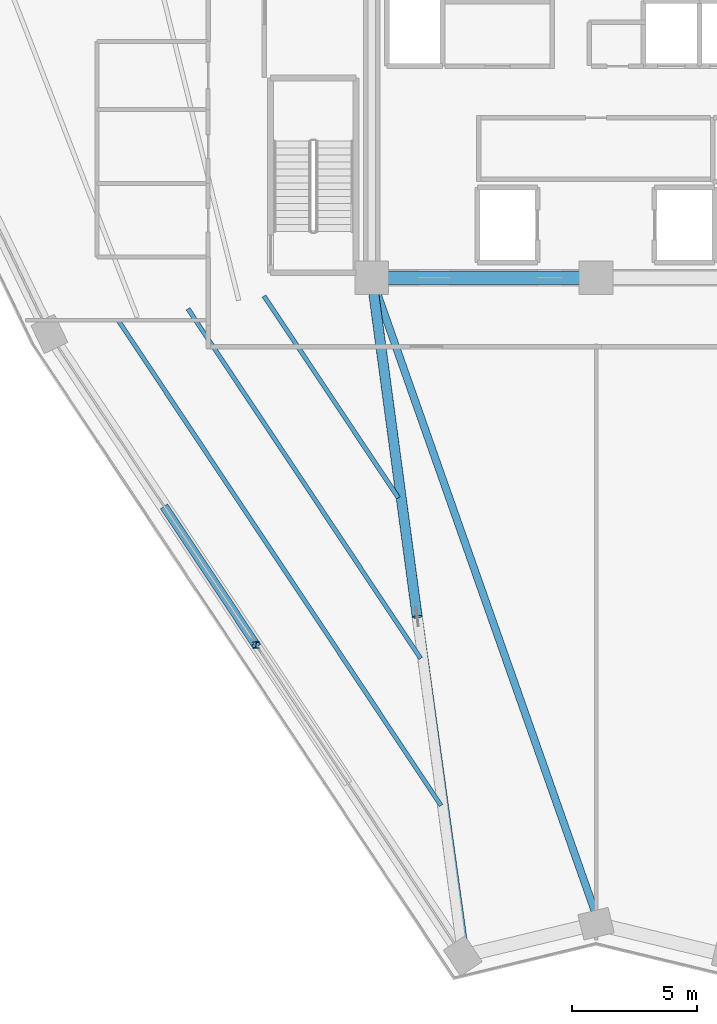
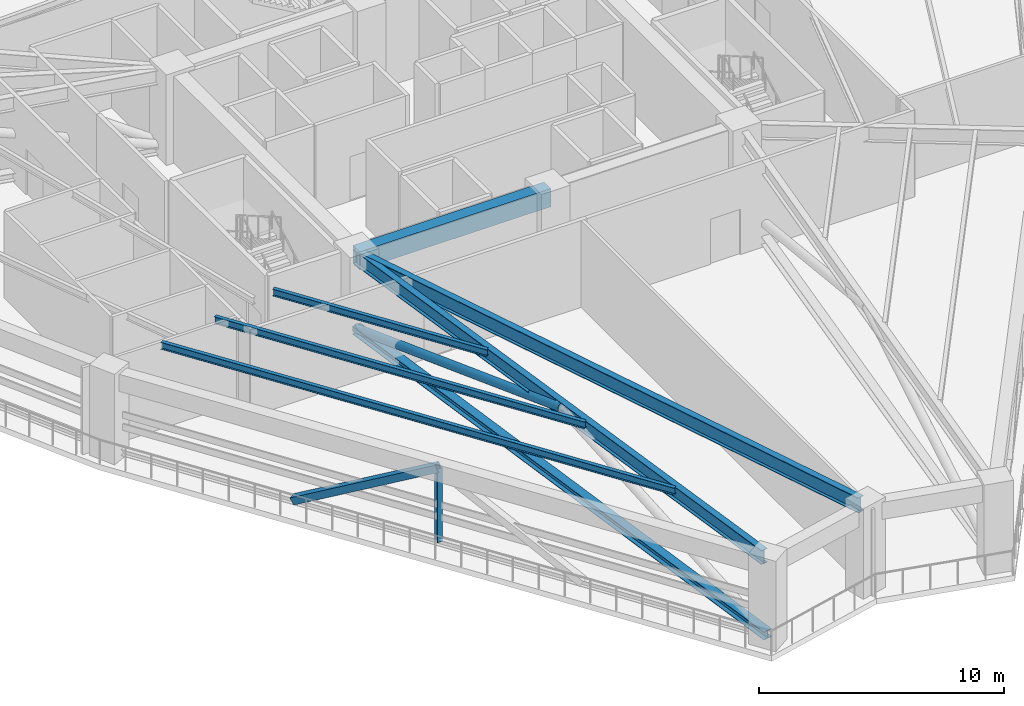
# One storey, part 2 of 25: 6 beams, 4 members.
"""IFC4 building model written with IfcOpenShell, lengths in metres."""

from ifc_helpers import new_model, si_unit, direction, frame, origin, origin_2d, place, context, subcontext, project, spatial, rectangle, hollow_rectangle, hollow_circle, i_section, extrude, source, transform, mapped, material, material_profile, profile_set, type_object, element, save


model = new_model("IFC4")

# Units and contexts
model_context = context("Model", 3, precision=1e-05, world=origin(), true_north=direction((0.0, 1.0)))
body_context = subcontext(model_context, "Body", "Model", "MODEL_VIEW")
ifc_project = project(units=[si_unit("LENGTHUNIT", "METRE"), si_unit("AREAUNIT", "SQUARE_METRE"), si_unit("VOLUMEUNIT", "CUBIC_METRE"), si_unit("PLANEANGLEUNIT", "RADIAN"), si_unit("MASSUNIT", "GRAM", prefix="KILO")], contexts=[model_context])

# Site, building, storey
site_placement = place(None, origin())
site = spatial("IfcSite", under=ifc_project, at=site_placement, CompositionType="ELEMENT")
building_placement = place(site_placement, origin())
building = spatial("IfcBuilding", under=site, at=building_placement, Name="Liaohun Quay Tower", CompositionType="ELEMENT")
storey_placement = place(building_placement, frame((0.0, 0.0, 231.75)))
storey = spatial("IfcBuildingStorey", under=building, at=storey_placement, Name="L60", CompositionType="ELEMENT", Elevation=231.75)

# Member
ifc_material_1 = material(Name="Steel Q355D", Category="steel")
ifc_material_profile_1 = material_profile(ifc_material_1, i_section(OverallWidth=0.25, OverallDepth=0.25, WebThickness=0.009033203125, FlangeThickness=0.013916015625, at=origin_2d()), Name="HW250x250x9x14")
ifc_profile_set_1 = profile_set([ifc_material_profile_1], Name="Steel Q355D")
member_type_1 = type_object("IfcMemberType", Name="MEM-BLT-PST", PredefinedType="POST", material=ifc_profile_set_1)
shared_shape_1 = source(origin(), body_context, "Body", "SweptSolid", [
    extrude(i_section(OverallWidth=0.25, OverallDepth=0.25, WebThickness=0.009033203125, FlangeThickness=0.013916015625, at=origin_2d()), origin(), (0.0, 0.0, 1.0), 3.669921875),
])
member_1_placement = place(storey_placement, frame((46.362060546875, 31.77001953125, 0.35009765625), z_axis=(0.0, 0.0, 1.0), x_axis=(1.0, 0.0, 0.0)))
element("IfcMember", 1, at=member_1_placement, inside=storey, type_object=member_type_1, Name="L60 Belt Truss Vertical Post BP-1-01", PredefinedType="POST", context=body_context, shape_type="MappedRepresentation", body=[
    mapped(shared_shape_1, transform((0.0, 0.0, 0.0), x_axis=(1.0, 0.0, 0.0), y_axis=(0.0, 1.0, 0.0), z_axis=(0.0, 0.0, 1.0), scale=1.0)),
])

# Beams
ifc_material_2 = material(Name="Concrete C55", Category="concrete")
ifc_material_profile_2 = material_profile(ifc_material_2, rectangle(XDim=0.550048828125, YDim=0.89990234375, at=origin_2d()), Name="RC550x900")
ifc_profile_set_2 = profile_set([ifc_material_profile_2], Name="Concrete C55")
beam_type_1 = type_object("IfcBeamType", Name="BM-CPL-2", PredefinedType="LINTEL", material=ifc_profile_set_2)
shared_shape_2 = source(origin(), body_context, "Body", "SweptSolid", [
    extrude(rectangle(XDim=0.550048828125, YDim=0.89990234375, at=origin_2d()), origin(), (0.0, 0.0, 1.0), 9.0),
])
beam_1_placement = place(storey_placement, frame((51.0, 46.5, 3.8701171875), z_axis=(1.0, 0.0, 0.0), x_axis=(0.0, 1.0, 0.0)))
element("IfcBeam", 2, at=beam_1_placement, inside=storey, type_object=beam_type_1, Name="L60 Core Coupling/Ring Beam CC1-CC2", PredefinedType="LINTEL", context=body_context, shape_type="MappedRepresentation", body=[
    mapped(shared_shape_2, transform((0.0, 0.0, 0.0), x_axis=(1.0, 0.0, 0.0), y_axis=(0.0, 1.0, 0.0), z_axis=(0.0, 0.0, 1.0), scale=1.0)),
])
ifc_material_profile_3 = material_profile(ifc_material_1, i_section(OverallWidth=0.300048828125, OverallDepth=0.699951171875, WebThickness=0.012939453125, FlangeThickness=0.02392578125, at=origin_2d()), Name="HN700x300x13x24")
ifc_profile_set_3 = profile_set([ifc_material_profile_3], Name="Steel Q355D")
beam_type_2 = type_object("IfcBeamType", Name="BM-RAD-U1", PredefinedType="BEAM", material=ifc_profile_set_3)
shared_shape_3 = source(origin(), body_context, "Body", "SweptSolid", [
    extrude(i_section(OverallWidth=0.300048828125, OverallDepth=0.699951171875, WebThickness=0.012939453125, FlangeThickness=0.02392578125, at=origin_2d()), origin(), (0.0, 0.0, 1.0), 27.0791015625),
])
beam_2_placement = place(storey_placement, frame((51.0, 46.5, 3.969970703125), z_axis=(0.137194159402, -0.990544175, 0.0), x_axis=(0.990544175, 0.137194159402, 0.0)))
element("IfcBeam", 3, at=beam_2_placement, inside=storey, type_object=beam_type_2, Name="L60 Radial Primary Girder CC1-PC01", PredefinedType="BEAM", context=body_context, shape_type="MappedRepresentation", body=[
    mapped(shared_shape_3, transform((0.0, 0.0, 0.0), x_axis=(1.0, 0.0, 0.0), y_axis=(0.0, 1.0, 0.0), z_axis=(0.0, 0.0, 1.0), scale=1.0)),
])
ifc_material_profile_4 = material_profile(ifc_material_1, i_section(OverallWidth=0.300048828125, OverallDepth=0.75, WebThickness=0.013916015625, FlangeThickness=0.02587890625, at=origin_2d()), Name="HN750x300x14x26")
ifc_profile_set_4 = profile_set([ifc_material_profile_4], Name="Steel Q355D")
beam_type_3 = type_object("IfcBeamType", Name="BM-RAD-M2", PredefinedType="BEAM", material=ifc_profile_set_4)
shared_shape_4 = source(origin(), body_context, "Body", "SweptSolid", [
    extrude(i_section(OverallWidth=0.300048828125, OverallDepth=0.75, WebThickness=0.013916015625, FlangeThickness=0.02587890625, at=origin_2d()), origin(), (0.0, 0.0, 1.0), 27.086181640625),
])
beam_3_placement = place(storey_placement, frame((51.0, 46.5, 3.945068359375), z_axis=(0.332274092752, -0.943182870543, 0.0), x_axis=(0.943182870543, 0.332274092752, 0.0)))
element("IfcBeam", 4, at=beam_3_placement, inside=storey, type_object=beam_type_3, Name="L60 Radial Primary Girder CC1-PC12", PredefinedType="BEAM", context=body_context, shape_type="MappedRepresentation", body=[
    mapped(shared_shape_4, transform((0.0, 0.0, 0.0), x_axis=(1.0, 0.0, 0.0), y_axis=(0.0, 1.0, 0.0), z_axis=(0.0, 0.0, 1.0), scale=1.0)),
])
ifc_material_profile_5 = material_profile(ifc_material_1, i_section(OverallWidth=0.175048828125, OverallDepth=0.35009765625, WebThickness=0.007080078125, FlangeThickness=0.010986328125, at=origin_2d()), Name="HN350x175x7x11")
ifc_profile_set_5 = profile_set([ifc_material_profile_5], Name="Steel Q355D")
beam_type_4 = type_object("IfcBeamType", Name="BM-SEC-J3", PredefinedType="JOIST", material=ifc_profile_set_5)
shared_shape_5 = source(origin(), body_context, "Body", "SweptSolid", [
    extrude(i_section(OverallWidth=0.175048828125, OverallDepth=0.35009765625, WebThickness=0.007080078125, FlangeThickness=0.010986328125, at=origin_2d()), origin(), (0.0, 0.0, 1.0), 9.7294921875),
])
beam_4_placement = place(storey_placement, frame((52.072021484375, 37.66796875, 4.14501953125), z_axis=(-0.553993544208, 0.832520962484, 0.0), x_axis=(-0.832520962484, -0.553993544208, 0.0)))
element("IfcBeam", 5, at=beam_4_placement, inside=storey, type_object=beam_type_4, Name="L60 Wing Secondary Floor Joist SJ-01", PredefinedType="JOIST", context=body_context, shape_type="MappedRepresentation", body=[
    mapped(shared_shape_5, transform((0.0, 0.0, 0.0), x_axis=(1.0, 0.0, 0.0), y_axis=(0.0, 1.0, 0.0), z_axis=(0.0, 0.0, 1.0), scale=1.0)),
])
shared_shape_6 = source(origin(), body_context, "Body", "SweptSolid", [
    extrude(i_section(OverallWidth=0.175048828125, OverallDepth=0.35009765625, WebThickness=0.007080078125, FlangeThickness=0.010986328125, at=origin_2d()), origin(), (0.0, 0.0, 1.0), 16.8408203125),
])
beam_5_placement = place(storey_placement, frame((52.962890625, 31.22998046875, 4.14501953125), z_axis=(-0.553940551333, 0.83255622368, 0.0), x_axis=(-0.83255622368, -0.553940551333, 0.0)))
element("IfcBeam", 6, at=beam_5_placement, inside=storey, type_object=beam_type_4, Name="L60 Wing Secondary Floor Joist SJ-02", PredefinedType="JOIST", context=body_context, shape_type="MappedRepresentation", body=[
    mapped(shared_shape_6, transform((0.0, 0.0, 0.0), x_axis=(1.0, 0.0, 0.0), y_axis=(0.0, 1.0, 0.0), z_axis=(0.0, 0.0, 1.0), scale=1.0)),
])
shared_shape_7 = source(origin(), body_context, "Body", "SweptSolid", [
    extrude(i_section(OverallWidth=0.175048828125, OverallDepth=0.35009765625, WebThickness=0.007080078125, FlangeThickness=0.010986328125, at=origin_2d()), origin(), (0.0, 0.0, 1.0), 23.36083984375),
])
beam_6_placement = place(storey_placement, frame((53.781005859375, 25.3291015625, 4.14501953125), z_axis=(-0.55395716171, 0.832545171741, 0.0), x_axis=(-0.832545171741, -0.55395716171, 0.0)))
element("IfcBeam", 7, at=beam_6_placement, inside=storey, type_object=beam_type_4, Name="L60 Wing Secondary Floor Joist SJ-03", PredefinedType="JOIST", context=body_context, shape_type="MappedRepresentation", body=[
    mapped(shared_shape_7, transform((0.0, 0.0, 0.0), x_axis=(1.0, 0.0, 0.0), y_axis=(0.0, 1.0, 0.0), z_axis=(0.0, 0.0, 1.0), scale=1.0)),
])

# Members
ifc_material_3 = material(Name="Steel Q420D", Category="steel")
ifc_material_profile_6 = material_profile(ifc_material_3, i_section(OverallWidth=0.407958984375, OverallDepth=0.39990234375, WebThickness=0.02099609375, FlangeThickness=0.02099609375, at=origin_2d()), Name="HW400x408x21x21")
ifc_profile_set_6 = profile_set([ifc_material_profile_6], Name="Steel Q420D")
member_type_2 = type_object("IfcMemberType", Name="MEM-OUT-CH2", PredefinedType="CHORD", material=ifc_profile_set_6)
shared_shape_8 = source(origin(), body_context, "Body", "SweptSolid", [
    extrude(i_section(OverallWidth=0.407958984375, OverallDepth=0.39990234375, WebThickness=0.02099609375, FlangeThickness=0.02099609375, at=origin_2d()), origin(), (0.0, 0.0, 1.0), 27.450439453125),
])
member_2_placement = place(storey_placement, frame((51.0, 46.5, 0.35009765625), z_axis=(0.133114995778, -0.991100599283, 0.0), x_axis=(0.991100599283, 0.133114995778, 0.0)))
element("IfcMember", 8, at=member_2_placement, inside=storey, type_object=member_type_2, Name="L60 Outrigger Bottom Chord OC-01", PredefinedType="CHORD", context=body_context, shape_type="MappedRepresentation", body=[
    mapped(shared_shape_8, transform((0.0, 0.0, 0.0), x_axis=(1.0, 0.0, 0.0), y_axis=(0.0, 1.0, 0.0), z_axis=(0.0, 0.0, 1.0), scale=1.0)),
])
ifc_material_profile_7 = material_profile(ifc_material_3, hollow_circle(Radius=0.202880859375, WallThickness=0.01611328125, at=origin_2d()), Name="CHS406x16")
ifc_profile_set_7 = profile_set([ifc_material_profile_7], Name="Steel Q420D")
member_type_3 = type_object("IfcMemberType", Name="MEM-OUT-DG2", PredefinedType="BRACE", material=ifc_profile_set_7)
shared_shape_9 = source(origin(), body_context, "Body", "SweptSolid", [
    extrude(hollow_circle(Radius=0.202880859375, WallThickness=0.01611328125, at=origin_2d()), origin(), (0.0, 0.0, 1.0), 14.207275390625),
])
member_3_placement = place(storey_placement, frame((51.0, 46.5, 0.35009765625), z_axis=(0.128588844438, -0.957465352716, 0.258311841452), x_axis=(0.991101772621, 0.133106259459, 0.0)))
element("IfcMember", 9, at=member_3_placement, inside=storey, type_object=member_type_3, Name="L60 Outrigger Diagonal OD-01A", PredefinedType="BRACE", context=body_context, shape_type="MappedRepresentation", body=[
    mapped(shared_shape_9, transform((0.0, 0.0, 0.0), x_axis=(1.0, 0.0, 0.0), y_axis=(0.0, 1.0, 0.0), z_axis=(0.0, 0.0, 1.0), scale=1.0)),
])
ifc_material_profile_8 = material_profile(ifc_material_1, hollow_rectangle(XDim=0.35009765625, YDim=0.35009765625, WallThickness=0.01611328125, at=origin_2d()), Name="SHS350x350x16")
ifc_profile_set_8 = profile_set([ifc_material_profile_8], Name="Steel Q355D")
member_type_4 = type_object("IfcMemberType", Name="MEM-BLT-DG2", PredefinedType="BRACE", material=ifc_profile_set_8)
shared_shape_10 = source(origin(), body_context, "Body", "SweptSolid", [
    extrude(hollow_rectangle(XDim=0.35009765625, YDim=0.35009765625, WallThickness=0.01611328125, at=origin_2d()), origin(), (0.0, 0.0, 1.0), 7.54345703125),
])
member_4_placement = place(storey_placement, frame((46.362060546875, 31.77001953125, 4.02001953125), z_axis=(-0.483585276652, 0.727643406168, -0.48649805104), x_axis=(-0.832847291986, -0.553502834891, 0.0)))
element("IfcMember", 10, at=member_4_placement, inside=storey, type_object=member_type_4, Name="L60 Belt Truss Diagonal BD-01B", PredefinedType="BRACE", context=body_context, shape_type="MappedRepresentation", body=[
    mapped(shared_shape_10, transform((0.0, 0.0, 0.0), x_axis=(1.0, 0.0, 0.0), y_axis=(0.0, 1.0, 0.0), z_axis=(0.0, 0.0, 1.0), scale=1.0)),
])

save(model, "model.ifc")
